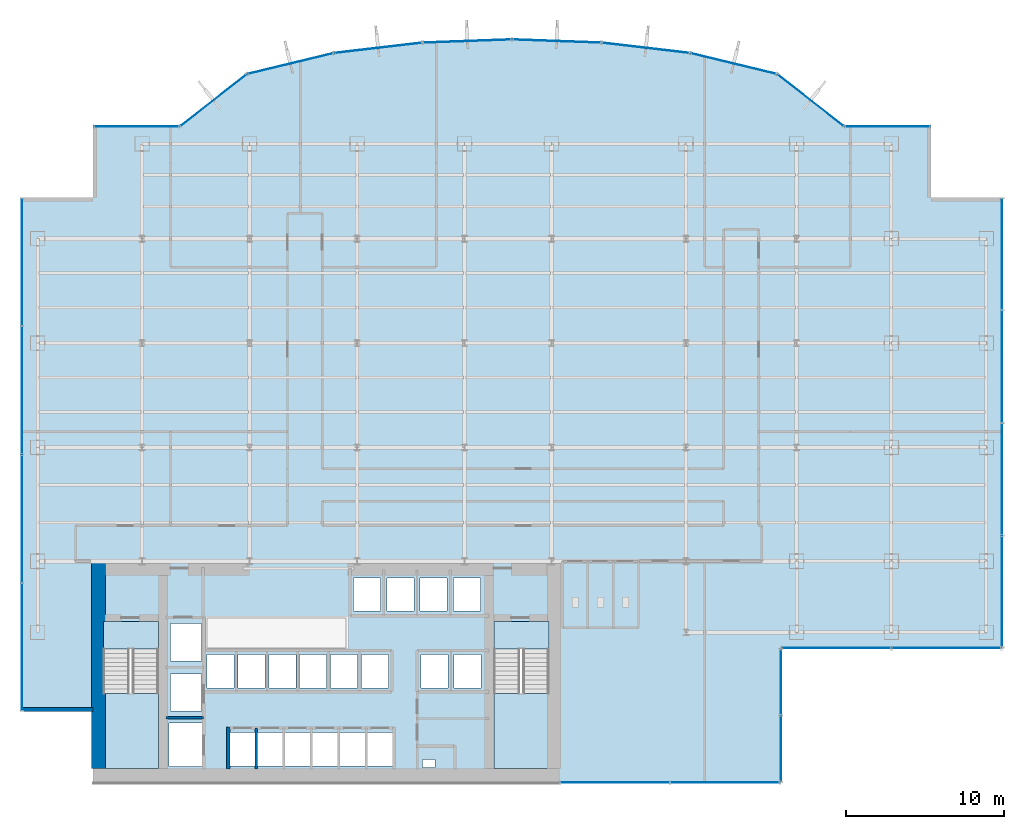
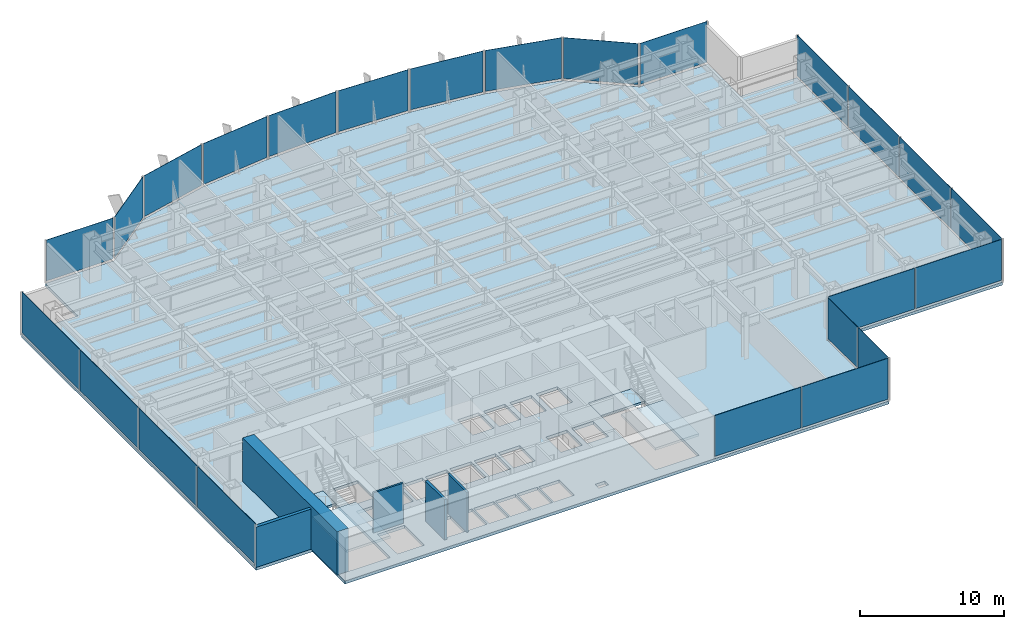
# One storey, part 16 of 22: 24 plates, 5 slabs, 5 walls, 17 elements without a shape of their own.
"""IFC4 building model written with IfcOpenShell, lengths in metres."""

from ifc_helpers import new_model, si_unit, derived_unit, direction, frame, frame_2d, origin, origin_2d, place, context, subcontext, project, spatial, polyline, rectangle, outline, extrude, source, transform, mapped, material, layer, layer_set, type_object, element, aggregate, save


model = new_model("IFC4")

# Units and contexts
model_context = context("Model", 3, precision=1e-05, world=origin(), true_north=direction((0.0, 1.0)))
body_context = subcontext(model_context, "Body", "Model", "MODEL_VIEW")
ifc_project = project(units=[si_unit("LENGTHUNIT", "METRE"), si_unit("AREAUNIT", "SQUARE_METRE"), si_unit("VOLUMEUNIT", "CUBIC_METRE"), si_unit("PLANEANGLEUNIT", "RADIAN"), si_unit("MASSUNIT", "GRAM", prefix="KILO"), derived_unit("THERMALTRANSMITTANCEUNIT", [(si_unit("POWERUNIT", "WATT"), 1), (si_unit("LENGTHUNIT", "METRE"), -2), (si_unit("THERMODYNAMICTEMPERATUREUNIT", "KELVIN"), -1)])], contexts=[model_context])

# Site, building, storey
site_placement = place(None, origin())
site = spatial("IfcSite", under=ifc_project, at=site_placement, CompositionType="ELEMENT")
building_placement = place(site_placement, origin())
building = spatial("IfcBuilding", under=site, at=building_placement, Name="Skarnbrae Concourse Arena and Tower", CompositionType="ELEMENT")
storey_placement = place(building_placement, frame((0.0, 0.0, 39.800048828125)))
storey = spatial("IfcBuildingStorey", under=building, at=storey_placement, Name="L08", CompositionType="ELEMENT", Elevation=39.800048828125)

# Stair, slab
ifc_material_1 = material(Name="Concrete 40 MPa (C40/50)", Category="concrete")
stair_type = type_object("IfcStairType", Name="STAIR-DOGLEG-1650", PredefinedType="HALF_TURN_STAIR", material=ifc_material_1)
stair_1_placement = place(storey_placement, origin())
stair_1 = element("IfcStair", 1, at=stair_1_placement, inside=storey, type_object=stair_type, Name="L08 Protected Exit Stair ST-1", PredefinedType="HALF_TURN_STAIR")
ifc_layer_1 = layer(ifc_material_1, 0.199951171875)
ifc_layer_set_1 = layer_set([ifc_layer_1], Name="Concrete 40 MPa (C40/50)")
slab_type_1 = type_object("IfcSlabType", Name="SLAB-LANDING-200", PredefinedType="LANDING", material=ifc_layer_set_1)
slab_1_placement = place(storey_placement, frame((0.0, 0.0, 1.625)))
slab_1 = element("IfcSlab", 2, at=slab_1_placement, type_object=slab_type_1, Name="ST-1 landing 1", PredefinedType="LANDING", context=body_context, shape_type="SweptSolid", body=[
    extrude(outline(polyline([(5.14990234375, 5.64990234375), (5.14990234375, 0.89990234375), (8.64990234375, 0.89990234375), (8.64990234375, 5.64990234375), (5.14990234375, 5.64990234375)])), origin(), (0.0, 0.0, 1.0), 0.199951171875),
])
aggregate(stair_1, [slab_1])

stair_2_placement = place(storey_placement, origin())
stair_2 = element("IfcStair", 3, at=stair_2_placement, inside=storey, type_object=stair_type, Name="L08 Protected Exit Stair ST-2", PredefinedType="HALF_TURN_STAIR")
slab_2_placement = place(storey_placement, frame((0.0, 0.0, 1.625)))
slab_2 = element("IfcSlab", 4, at=slab_2_placement, type_object=slab_type_1, Name="ST-2 landing 1", PredefinedType="LANDING", context=body_context, shape_type="SweptSolid", body=[
    extrude(outline(polyline([(29.85009765625, 5.64990234375), (29.85009765625, 0.89990234375), (33.35009765625, 0.89990234375), (33.35009765625, 5.64990234375), (29.85009765625, 5.64990234375)])), origin(), (0.0, 0.0, 1.0), 0.199951171875),
])
aggregate(stair_2, [slab_2])

# Slabs
slab_3_placement = place(storey_placement, frame((0.0, 0.0, -0.199951171875)))
element("IfcSlab", 5, at=slab_3_placement, inside=storey, type_object=slab_type_1, Name="L08 Core stair ST1 floor landing", PredefinedType="LANDING", context=body_context, shape_type="SweptSolid", body=[
    extrude(outline(polyline([(5.14990234375, 10.199951171875), (5.14990234375, 8.449951171875), (8.64990234375, 8.449951171875), (8.64990234375, 10.199951171875), (5.14990234375, 10.199951171875)])), origin(), (0.0, 0.0, 1.0), 0.199951171875),
])
slab_4_placement = place(storey_placement, frame((0.0, 0.0, -0.199951171875)))
element("IfcSlab", 6, at=slab_4_placement, inside=storey, type_object=slab_type_1, Name="L08 Core stair ST2 floor landing", PredefinedType="LANDING", context=body_context, shape_type="SweptSolid", body=[
    extrude(outline(polyline([(29.85009765625, 10.199951171875), (29.85009765625, 8.449951171875), (33.35009765625, 8.449951171875), (33.35009765625, 10.199951171875), (29.85009765625, 10.199951171875)])), origin(), (0.0, 0.0, 1.0), 0.199951171875),
])
ifc_layer_2 = layer(ifc_material_1, 0.25)
ifc_layer_set_2 = layer_set([ifc_layer_2], Name="Concrete 40 MPa (C40/50)")
slab_type_2 = type_object("IfcSlabType", Name="SLAB-TOWER-250", PredefinedType="FLOOR", material=ifc_layer_set_2)
slab_5_placement = place(storey_placement, frame((0.0, 0.0, -0.25)))
element("IfcSlab", 7, at=slab_5_placement, inside=storey, type_object=slab_type_2, Name="L08 Structural floor slab", PredefinedType="FLOOR", context=body_context, shape_type="SweptSolid", body=[
    extrude(outline(polyline([(4.5, 0.0), (48.0, 0.0), (48.0, 8.5), (62.0, 8.5), (62.0, 37.0), (57.5, 37.0), (57.5, 41.5), (52.0, 41.5), (47.766357421875, 44.811767578125), (42.2724609375, 46.140380859375), (36.65380859375, 46.796875), (31.0, 47.0), (25.34619140625, 46.796875), (19.7275390625, 46.140380859375), (14.233642578125, 44.811767578125), (10.0, 41.5), (4.5, 41.5), (4.5, 37.0), (0.0, 37.0), (0.0, 4.5), (4.5, 4.5), (4.5, 0.0)]), holes=[polyline([(13.14501953125, 3.155029296875), (14.7548828125, 3.155029296875), (14.7548828125, 1.044921875), (13.14501953125, 1.044921875), (13.14501953125, 3.155029296875)]), polyline([(16.4951171875, 3.155029296875), (16.4951171875, 1.044921875), (14.885009765625, 1.044921875), (14.885009765625, 3.155029296875), (16.4951171875, 3.155029296875)]), polyline([(18.235107421875, 3.155029296875), (18.235107421875, 1.044921875), (16.625, 1.044921875), (16.625, 3.155029296875), (18.235107421875, 3.155029296875)]), polyline([(18.364990234375, 3.155029296875), (19.97509765625, 3.155029296875), (19.97509765625, 1.044921875), (18.364990234375, 1.044921875), (18.364990234375, 3.155029296875)]), polyline([(11.455078125, 3.780029296875), (11.455078125, 1.02001953125), (9.294921875, 1.02001953125), (9.294921875, 3.780029296875), (11.455078125, 3.780029296875)]), polyline([(8.64990234375, 0.89990234375), (5.14990234375, 0.89990234375), (5.14990234375, 10.199951171875), (8.64990234375, 10.199951171875), (8.64990234375, 0.89990234375)]), polyline([(9.39501953125, 6.8798828125), (11.35498046875, 6.8798828125), (11.35498046875, 4.52001953125), (9.39501953125, 4.52001953125), (9.39501953125, 6.8798828125)]), polyline([(13.429931640625, 8.10498046875), (13.429931640625, 5.9951171875), (11.719970703125, 5.9951171875), (11.719970703125, 8.10498046875), (13.429931640625, 8.10498046875)]), polyline([(15.3798828125, 8.10498046875), (15.3798828125, 5.9951171875), (13.669921875, 5.9951171875), (13.669921875, 8.10498046875), (15.3798828125, 8.10498046875)]), polyline([(15.6201171875, 8.10498046875), (17.330078125, 8.10498046875), (17.330078125, 5.9951171875), (15.6201171875, 5.9951171875), (15.6201171875, 8.10498046875)]), polyline([(19.280029296875, 8.10498046875), (19.280029296875, 5.9951171875), (17.570068359375, 5.9951171875), (17.570068359375, 8.10498046875), (19.280029296875, 8.10498046875)]), polyline([(11.35498046875, 10.054931640625), (11.35498046875, 7.695068359375), (9.39501953125, 7.695068359375), (9.39501953125, 10.054931640625), (11.35498046875, 10.054931640625)]), polyline([(25.35009765625, 1.449951171875), (26.1201171875, 1.449951171875), (26.1201171875, 0.949951171875), (25.35009765625, 0.949951171875), (25.35009765625, 1.449951171875)]), polyline([(21.715087890625, 3.155029296875), (21.715087890625, 1.044921875), (20.10498046875, 1.044921875), (20.10498046875, 3.155029296875), (21.715087890625, 3.155029296875)]), polyline([(23.455078125, 3.155029296875), (23.455078125, 1.044921875), (21.844970703125, 1.044921875), (21.844970703125, 3.155029296875), (23.455078125, 3.155029296875)]), polyline([(33.35009765625, 10.199951171875), (33.35009765625, 0.89990234375), (29.85009765625, 0.89990234375), (29.85009765625, 10.199951171875), (33.35009765625, 10.199951171875)]), polyline([(21.22998046875, 8.10498046875), (21.22998046875, 5.9951171875), (19.52001953125, 5.9951171875), (19.52001953125, 8.10498046875), (21.22998046875, 8.10498046875)]), polyline([(23.179931640625, 8.10498046875), (23.179931640625, 5.9951171875), (21.469970703125, 5.9951171875), (21.469970703125, 8.10498046875), (23.179931640625, 8.10498046875)]), polyline([(25.235107421875, 8.10498046875), (26.945068359375, 8.10498046875), (26.945068359375, 5.9951171875), (25.235107421875, 5.9951171875), (25.235107421875, 8.10498046875)]), polyline([(29.044921875, 8.10498046875), (29.044921875, 5.9951171875), (27.3349609375, 5.9951171875), (27.3349609375, 8.10498046875), (29.044921875, 8.10498046875)]), polyline([(22.695068359375, 12.955078125), (22.695068359375, 10.844970703125), (20.985107421875, 10.844970703125), (20.985107421875, 12.955078125), (22.695068359375, 12.955078125)]), polyline([(23.0849609375, 12.955078125), (24.794921875, 12.955078125), (24.794921875, 10.844970703125), (23.0849609375, 10.844970703125), (23.0849609375, 12.955078125)]), polyline([(26.89501953125, 12.955078125), (26.89501953125, 10.844970703125), (25.18505859375, 10.844970703125), (25.18505859375, 12.955078125), (26.89501953125, 12.955078125)]), polyline([(28.9951171875, 12.955078125), (28.9951171875, 10.844970703125), (27.284912109375, 10.844970703125), (27.284912109375, 12.955078125), (28.9951171875, 12.955078125)])]), origin(), (0.0, 0.0, 1.0), 0.25),
])

# Curtain wall, plates
ifc_material_2 = material(Name="Bronze anodised aluminium 6063-T6", Category="aluminium")
curtain_wall_type = type_object("IfcCurtainWallType", Name="CW-SYS-02-LOWZONE", PredefinedType="USERDEFINED", material=ifc_material_2)
curtain_wall_1_placement = place(storey_placement, origin())
curtain_wall_1 = element("IfcCurtainWall", 8, at=curtain_wall_1_placement, inside=storey, type_object=curtain_wall_type, Name="L08 Unitised curtain wall CW-L08-SE-SPINE", ObjectType="UNITISED CURTAIN WALL", PredefinedType="USERDEFINED")
ifc_material_3 = material(Name="Low-E triple insulating glass", Category="glass")
ifc_layer_3 = layer(ifc_material_3, 0.031982421875)
ifc_layer_set_3 = layer_set([ifc_layer_3], Name="Low-E triple insulating glass")
plate_type = type_object("IfcPlateType", Name="CWP-CW-02", PredefinedType="CURTAIN_PANEL", material=ifc_layer_set_3)
shared_shape_1 = source(origin(), body_context, "Body", "SweptSolid", [
    extrude(rectangle(XDim=6.8798828125, YDim=0.031982421875, at=origin_2d()), origin(), (0.0, 0.0, 1.0), 3.4599609375),
])
plate_1_placement = place(storey_placement, frame((37.52001953125, 0.0, 0.18994140625), z_axis=(0.0, 0.0, 1.0), x_axis=(1.0, 0.0, 0.0)))
plate_1 = element("IfcPlate", 9, at=plate_1_placement, type_object=plate_type, Name="CW-L08-SE-SPINE Low-E Glazing Panel 1", PredefinedType="CURTAIN_PANEL", context=body_context, shape_type="MappedRepresentation", body=[
    mapped(shared_shape_1, transform((0.0, 0.0, 0.0))),
])
plate_2_placement = place(storey_placement, frame((44.47998046875, 0.0, 0.18994140625), z_axis=(0.0, 0.0, 1.0), x_axis=(1.0, 0.0, 0.0)))
plate_2 = element("IfcPlate", 10, at=plate_2_placement, type_object=plate_type, Name="CW-L08-SE-SPINE Low-E Glazing Panel 2", PredefinedType="CURTAIN_PANEL", context=body_context, shape_type="MappedRepresentation", body=[
    mapped(shared_shape_1, transform((0.0, 0.0, 0.0))),
])
aggregate(curtain_wall_1, [plate_1, plate_2])

curtain_wall_2_placement = place(storey_placement, origin())
curtain_wall_2 = element("IfcCurtainWall", 11, at=curtain_wall_2_placement, inside=storey, type_object=curtain_wall_type, Name="L08 Unitised curtain wall CW-L08-E03", ObjectType="UNITISED CURTAIN WALL", PredefinedType="USERDEFINED")
plate_3_placement = place(storey_placement, frame((51.52001953125, 8.5, 0.18994140625), z_axis=(0.0, 0.0, 1.0), x_axis=(1.0, 0.0, 0.0)))
plate_3 = element("IfcPlate", 12, at=plate_3_placement, type_object=plate_type, Name="CW-L08-E03 Low-E Glazing Panel 1", PredefinedType="CURTAIN_PANEL", context=body_context, shape_type="MappedRepresentation", body=[
    mapped(shared_shape_1, transform((0.0, 0.0, 0.0))),
])
plate_4_placement = place(storey_placement, frame((58.47998046875, 8.5, 0.18994140625), z_axis=(0.0, 0.0, 1.0), x_axis=(1.0, 0.0, 0.0)))
plate_4 = element("IfcPlate", 13, at=plate_4_placement, type_object=plate_type, Name="CW-L08-E03 Low-E Glazing Panel 2", PredefinedType="CURTAIN_PANEL", context=body_context, shape_type="MappedRepresentation", body=[
    mapped(shared_shape_1, transform((0.0, 0.0, 0.0))),
])
aggregate(curtain_wall_2, [plate_3, plate_4])

curtain_wall_3_placement = place(storey_placement, origin())
curtain_wall_3 = element("IfcCurtainWall", 14, at=curtain_wall_3_placement, inside=storey, type_object=curtain_wall_type, Name="L08 Unitised curtain wall CW-L08-E02", ObjectType="UNITISED CURTAIN WALL", PredefinedType="USERDEFINED")
shared_shape_2 = source(origin(), body_context, "Body", "SweptSolid", [
    extrude(rectangle(XDim=4.1298828125, YDim=0.031982421875, at=origin_2d()), origin(), (0.0, 0.0, 1.0), 3.4599609375),
])
plate_5_placement = place(storey_placement, frame((48.0, 2.14501953125, 0.18994140625), z_axis=(0.0, 0.0, 1.0), x_axis=(0.0, 1.0, 0.0)))
plate_5 = element("IfcPlate", 15, at=plate_5_placement, type_object=plate_type, Name="CW-L08-E02 Low-E Glazing Panel 1", PredefinedType="CURTAIN_PANEL", context=body_context, shape_type="MappedRepresentation", body=[
    mapped(shared_shape_2, transform((0.0, 0.0, 0.0))),
])
plate_6_placement = place(storey_placement, frame((48.0, 6.35498046875, 0.18994140625), z_axis=(0.0, 0.0, 1.0), x_axis=(0.0, 1.0, 0.0)))
plate_6 = element("IfcPlate", 16, at=plate_6_placement, type_object=plate_type, Name="CW-L08-E02 Low-E Glazing Panel 2", PredefinedType="CURTAIN_PANEL", context=body_context, shape_type="MappedRepresentation", body=[
    mapped(shared_shape_2, transform((0.0, 0.0, 0.0))),
])
aggregate(curtain_wall_3, [plate_5, plate_6])

curtain_wall_4_placement = place(storey_placement, origin())
curtain_wall_4 = element("IfcCurtainWall", 17, at=curtain_wall_4_placement, inside=storey, type_object=curtain_wall_type, Name="L08 Unitised curtain wall CW-L08-E04", ObjectType="UNITISED CURTAIN WALL", PredefinedType="USERDEFINED")
shared_shape_3 = source(origin(), body_context, "Body", "SweptSolid", [
    extrude(rectangle(XDim=7.0048828125, YDim=0.031982421875, at=origin_2d()), origin(), (0.0, 0.0, 1.0), 3.4599609375),
])
plate_7_placement = place(storey_placement, frame((62.0, 12.08251953125, 0.18994140625), z_axis=(0.0, 0.0, 1.0), x_axis=(0.0, 1.0, 0.0)))
plate_7 = element("IfcPlate", 18, at=plate_7_placement, type_object=plate_type, Name="CW-L08-E04 Low-E Glazing Panel 1", PredefinedType="CURTAIN_PANEL", context=body_context, shape_type="MappedRepresentation", body=[
    mapped(shared_shape_3, transform((0.0, 0.0, 0.0))),
])
plate_8_placement = place(storey_placement, frame((62.0, 33.41748046875, 0.18994140625), z_axis=(0.0, 0.0, 1.0), x_axis=(0.0, 1.0, 0.0)))
plate_8 = element("IfcPlate", 19, at=plate_8_placement, type_object=plate_type, Name="CW-L08-E04 Low-E Glazing Panel 4", PredefinedType="CURTAIN_PANEL", context=body_context, shape_type="MappedRepresentation", body=[
    mapped(shared_shape_3, transform((0.0, 0.0, 0.0))),
])
shared_shape_4 = source(origin(), body_context, "Body", "SweptSolid", [
    extrude(rectangle(XDim=7.044921875, YDim=0.031982421875, at=origin_2d()), origin(), (0.0, 0.0, 1.0), 3.4599609375),
])
plate_9_placement = place(storey_placement, frame((62.0, 19.1875, 0.18994140625), z_axis=(0.0, 0.0, 1.0), x_axis=(0.0, 1.0, 0.0)))
plate_9 = element("IfcPlate", 20, at=plate_9_placement, type_object=plate_type, Name="CW-L08-E04 Low-E Glazing Panel 2", PredefinedType="CURTAIN_PANEL", context=body_context, shape_type="MappedRepresentation", body=[
    mapped(shared_shape_4, transform((0.0, 0.0, 0.0))),
])
plate_10_placement = place(storey_placement, frame((62.0, 26.3125, 0.18994140625), z_axis=(0.0, 0.0, 1.0), x_axis=(0.0, 1.0, 0.0)))
plate_10 = element("IfcPlate", 21, at=plate_10_placement, type_object=plate_type, Name="CW-L08-E04 Low-E Glazing Panel 3", PredefinedType="CURTAIN_PANEL", context=body_context, shape_type="MappedRepresentation", body=[
    mapped(shared_shape_4, transform((0.0, 0.0, 0.0))),
])
aggregate(curtain_wall_4, [plate_7, plate_9, plate_10, plate_8])

# Curtain wall, plate
curtain_wall_5_placement = place(storey_placement, origin())
curtain_wall_5 = element("IfcCurtainWall", 22, at=curtain_wall_5_placement, inside=storey, type_object=curtain_wall_type, Name="L08 Unitised curtain wall CW-L08-E07", ObjectType="UNITISED CURTAIN WALL", PredefinedType="USERDEFINED")
shared_shape_5 = source(origin(), body_context, "Body", "SweptSolid", [
    extrude(rectangle(XDim=5.340087890625, YDim=0.031982421875, at=origin_2d()), origin(), (0.0, 0.0, 1.0), 3.4599609375),
])
plate_11_placement = place(storey_placement, frame((54.75, 41.5, 0.18994140625), z_axis=(0.0, 0.0, 1.0), x_axis=(-1.0, 0.0, 0.0)))
plate_11 = element("IfcPlate", 23, at=plate_11_placement, type_object=plate_type, Name="CW-L08-E07 Low-E Glazing Panel 1", PredefinedType="CURTAIN_PANEL", context=body_context, shape_type="MappedRepresentation", body=[
    mapped(shared_shape_5, transform((0.0, 0.0, 0.0))),
])
aggregate(curtain_wall_5, [plate_11])

curtain_wall_6_placement = place(storey_placement, origin())
curtain_wall_6 = element("IfcCurtainWall", 24, at=curtain_wall_6_placement, inside=storey, type_object=curtain_wall_type, Name="L08 Unitised curtain wall CW-L08-E16", ObjectType="UNITISED CURTAIN WALL", PredefinedType="USERDEFINED")
plate_12_placement = place(storey_placement, frame((7.25, 41.5, 0.18994140625), z_axis=(0.0, 0.0, 1.0), x_axis=(-1.0, 0.0, 0.0)))
plate_12 = element("IfcPlate", 25, at=plate_12_placement, type_object=plate_type, Name="CW-L08-E16 Low-E Glazing Panel 1", PredefinedType="CURTAIN_PANEL", context=body_context, shape_type="MappedRepresentation", body=[
    mapped(shared_shape_5, transform((0.0, 0.0, 0.0))),
])
aggregate(curtain_wall_6, [plate_12])

curtain_wall_7_placement = place(storey_placement, origin())
curtain_wall_7 = element("IfcCurtainWall", 26, at=curtain_wall_7_placement, inside=storey, type_object=curtain_wall_type, Name="L08 Unitised curtain wall CW-L08-E08", ObjectType="UNITISED CURTAIN WALL", PredefinedType="USERDEFINED")
shared_shape_6 = source(origin(), body_context, "Body", "SweptSolid", [
    extrude(rectangle(XDim=5.215087890625, YDim=0.031982421875, at=origin_2d()), origin(), (0.0, 0.0, 1.0), 3.4599609375),
])
plate_13_placement = place(storey_placement, frame((49.88330078125, 43.156005859375, 0.18994140625), z_axis=(0.0, 0.0, 1.0), x_axis=(-0.787651726054, 0.616120733658, 0.0)))
plate_13 = element("IfcPlate", 27, at=plate_13_placement, type_object=plate_type, Name="CW-L08-E08 Low-E Glazing Panel 1", PredefinedType="CURTAIN_PANEL", context=body_context, shape_type="MappedRepresentation", body=[
    mapped(shared_shape_6, transform((0.0, 0.0, 0.0))),
])
aggregate(curtain_wall_7, [plate_13])

curtain_wall_8_placement = place(storey_placement, origin())
curtain_wall_8 = element("IfcCurtainWall", 28, at=curtain_wall_8_placement, inside=storey, type_object=curtain_wall_type, Name="L08 Unitised curtain wall CW-L08-E15", ObjectType="UNITISED CURTAIN WALL", PredefinedType="USERDEFINED")
plate_14_placement = place(storey_placement, frame((12.11669921875, 43.156005859375, 0.18994140625), z_axis=(0.0, 0.0, 1.0), x_axis=(-0.787651726054, -0.616120733658, 0.0)))
plate_14 = element("IfcPlate", 29, at=plate_14_placement, type_object=plate_type, Name="CW-L08-E15 Low-E Glazing Panel 1", PredefinedType="CURTAIN_PANEL", context=body_context, shape_type="MappedRepresentation", body=[
    mapped(shared_shape_6, transform((0.0, 0.0, 0.0))),
])
aggregate(curtain_wall_8, [plate_14])

curtain_wall_9_placement = place(storey_placement, origin())
curtain_wall_9 = element("IfcCurtainWall", 30, at=curtain_wall_9_placement, inside=storey, type_object=curtain_wall_type, Name="L08 Unitised curtain wall CW-L08-E09", ObjectType="UNITISED CURTAIN WALL", PredefinedType="USERDEFINED")
shared_shape_7 = source(origin(), body_context, "Body", "SweptSolid", [
    extrude(rectangle(XDim=5.4921875, YDim=0.031982421875, at=origin_2d()), origin(), (0.0, 0.0, 1.0), 3.4599609375),
])
plate_15_placement = place(storey_placement, frame((45.019287109375, 45.47607421875, 0.18994140625), z_axis=(0.0, 0.0, 1.0), x_axis=(-0.971973721569, 0.235089524607, 0.0)))
plate_15 = element("IfcPlate", 31, at=plate_15_placement, type_object=plate_type, Name="CW-L08-E09 Low-E Glazing Panel 1", PredefinedType="CURTAIN_PANEL", context=body_context, shape_type="MappedRepresentation", body=[
    mapped(shared_shape_7, transform((0.0, 0.0, 0.0))),
])
aggregate(curtain_wall_9, [plate_15])

curtain_wall_10_placement = place(storey_placement, origin())
curtain_wall_10 = element("IfcCurtainWall", 32, at=curtain_wall_10_placement, inside=storey, type_object=curtain_wall_type, Name="L08 Unitised curtain wall CW-L08-E14", ObjectType="UNITISED CURTAIN WALL", PredefinedType="USERDEFINED")
plate_16_placement = place(storey_placement, frame((16.980712890625, 45.47607421875, 0.18994140625), z_axis=(0.0, 0.0, 1.0), x_axis=(-0.971973721569, -0.235089524607, 0.0)))
plate_16 = element("IfcPlate", 33, at=plate_16_placement, type_object=plate_type, Name="CW-L08-E14 Low-E Glazing Panel 1", PredefinedType="CURTAIN_PANEL", context=body_context, shape_type="MappedRepresentation", body=[
    mapped(shared_shape_7, transform((0.0, 0.0, 0.0))),
])
aggregate(curtain_wall_10, [plate_16])

curtain_wall_11_placement = place(storey_placement, origin())
curtain_wall_11 = element("IfcCurtainWall", 34, at=curtain_wall_11_placement, inside=storey, type_object=curtain_wall_type, Name="L08 Unitised curtain wall CW-L08-E10", ObjectType="UNITISED CURTAIN WALL", PredefinedType="USERDEFINED")
shared_shape_8 = source(origin(), body_context, "Body", "SweptSolid", [
    extrude(rectangle(XDim=5.49658203125, YDim=0.031982421875, at=origin_2d()), origin(), (0.0, 0.0, 1.0), 3.4599609375),
])
plate_17_placement = place(storey_placement, frame((39.463134765625, 46.46875, 0.18994140625), z_axis=(0.0, 0.0, 1.0), x_axis=(-0.99324457001, 0.116039752435, 0.0)))
plate_17 = element("IfcPlate", 35, at=plate_17_placement, type_object=plate_type, Name="CW-L08-E10 Low-E Glazing Panel 1", PredefinedType="CURTAIN_PANEL", context=body_context, shape_type="MappedRepresentation", body=[
    mapped(shared_shape_8, transform((0.0, 0.0, 0.0))),
])
aggregate(curtain_wall_11, [plate_17])

curtain_wall_12_placement = place(storey_placement, origin())
curtain_wall_12 = element("IfcCurtainWall", 36, at=curtain_wall_12_placement, inside=storey, type_object=curtain_wall_type, Name="L08 Unitised curtain wall CW-L08-E13", ObjectType="UNITISED CURTAIN WALL", PredefinedType="USERDEFINED")
plate_18_placement = place(storey_placement, frame((22.536865234375, 46.46875, 0.18994140625), z_axis=(0.0, 0.0, 1.0), x_axis=(-0.99324457001, -0.116039752435, 0.0)))
plate_18 = element("IfcPlate", 37, at=plate_18_placement, type_object=plate_type, Name="CW-L08-E13 Low-E Glazing Panel 1", PredefinedType="CURTAIN_PANEL", context=body_context, shape_type="MappedRepresentation", body=[
    mapped(shared_shape_8, transform((0.0, 0.0, 0.0))),
])
aggregate(curtain_wall_12, [plate_18])

curtain_wall_13_placement = place(storey_placement, origin())
curtain_wall_13 = element("IfcCurtainWall", 38, at=curtain_wall_13_placement, inside=storey, type_object=curtain_wall_type, Name="L08 Unitised curtain wall CW-L08-E11", ObjectType="UNITISED CURTAIN WALL", PredefinedType="USERDEFINED")
shared_shape_9 = source(origin(), body_context, "Body", "SweptSolid", [
    extrude(rectangle(XDim=5.49755859375, YDim=0.031982421875, at=origin_2d()), origin(), (0.0, 0.0, 1.0), 3.4599609375),
])
plate_19_placement = place(storey_placement, frame((33.826904296875, 46.8984375, 0.18994140625), z_axis=(0.0, 0.0, 1.0), x_axis=(-0.999355425188, 0.035898943527, 0.0)))
plate_19 = element("IfcPlate", 39, at=plate_19_placement, type_object=plate_type, Name="CW-L08-E11 Low-E Glazing Panel 1", PredefinedType="CURTAIN_PANEL", context=body_context, shape_type="MappedRepresentation", body=[
    mapped(shared_shape_9, transform((0.0, 0.0, 0.0))),
])
aggregate(curtain_wall_13, [plate_19])

curtain_wall_14_placement = place(storey_placement, origin())
curtain_wall_14 = element("IfcCurtainWall", 40, at=curtain_wall_14_placement, inside=storey, type_object=curtain_wall_type, Name="L08 Unitised curtain wall CW-L08-E12", ObjectType="UNITISED CURTAIN WALL", PredefinedType="USERDEFINED")
plate_20_placement = place(storey_placement, frame((28.173095703125, 46.8984375, 0.18994140625), z_axis=(0.0, 0.0, 1.0), x_axis=(-0.999355425188, -0.035898943527, 0.0)))
plate_20 = element("IfcPlate", 41, at=plate_20_placement, type_object=plate_type, Name="CW-L08-E12 Low-E Glazing Panel 1", PredefinedType="CURTAIN_PANEL", context=body_context, shape_type="MappedRepresentation", body=[
    mapped(shared_shape_9, transform((0.0, 0.0, 0.0))),
])
aggregate(curtain_wall_14, [plate_20])

# Curtain wall, plates
curtain_wall_15_placement = place(storey_placement, origin())
curtain_wall_15 = element("IfcCurtainWall", 42, at=curtain_wall_15_placement, inside=storey, type_object=curtain_wall_type, Name="L08 Unitised curtain wall CW-L08-E19", ObjectType="UNITISED CURTAIN WALL", PredefinedType="USERDEFINED")
shared_shape_10 = source(origin(), body_context, "Body", "SweptSolid", [
    extrude(rectangle(XDim=8.0048828125, YDim=0.031982421875, at=origin_2d()), origin(), (0.0, 0.0, 1.0), 3.4599609375),
])
plate_21_placement = place(storey_placement, frame((0.0, 32.91748046875, 0.18994140625), z_axis=(0.0, 0.0, 1.0), x_axis=(0.0, -1.0, 0.0)))
plate_21 = element("IfcPlate", 43, at=plate_21_placement, type_object=plate_type, Name="CW-L08-E19 Low-E Glazing Panel 1", PredefinedType="CURTAIN_PANEL", context=body_context, shape_type="MappedRepresentation", body=[
    mapped(shared_shape_10, transform((0.0, 0.0, 0.0))),
])
plate_22_placement = place(storey_placement, frame((0.0, 8.58251953125, 0.18994140625), z_axis=(0.0, 0.0, 1.0), x_axis=(0.0, -1.0, 0.0)))
plate_22 = element("IfcPlate", 44, at=plate_22_placement, type_object=plate_type, Name="CW-L08-E19 Low-E Glazing Panel 4", PredefinedType="CURTAIN_PANEL", context=body_context, shape_type="MappedRepresentation", body=[
    mapped(shared_shape_10, transform((0.0, 0.0, 0.0))),
])
shared_shape_11 = source(origin(), body_context, "Body", "SweptSolid", [
    extrude(rectangle(XDim=8.044921875, YDim=0.031982421875, at=origin_2d()), origin(), (0.0, 0.0, 1.0), 3.4599609375),
])
plate_23_placement = place(storey_placement, frame((0.0, 24.8125, 0.18994140625), z_axis=(0.0, 0.0, 1.0), x_axis=(0.0, -1.0, 0.0)))
plate_23 = element("IfcPlate", 45, at=plate_23_placement, type_object=plate_type, Name="CW-L08-E19 Low-E Glazing Panel 2", PredefinedType="CURTAIN_PANEL", context=body_context, shape_type="MappedRepresentation", body=[
    mapped(shared_shape_11, transform((0.0, 0.0, 0.0))),
])
plate_24_placement = place(storey_placement, frame((0.0, 16.6875, 0.18994140625), z_axis=(0.0, 0.0, 1.0), x_axis=(0.0, -1.0, 0.0)))
plate_24 = element("IfcPlate", 46, at=plate_24_placement, type_object=plate_type, Name="CW-L08-E19 Low-E Glazing Panel 3", PredefinedType="CURTAIN_PANEL", context=body_context, shape_type="MappedRepresentation", body=[
    mapped(shared_shape_11, transform((0.0, 0.0, 0.0))),
])
aggregate(curtain_wall_15, [plate_21, plate_23, plate_24, plate_22])

# Walls
ifc_material_4 = material(Name="Concrete 70 MPa (C70/85)", Category="concrete")
ifc_layer_4 = layer(ifc_material_4, 0.89990234375)
ifc_layer_set_4 = layer_set([ifc_layer_4], Name="Concrete 70 MPa (C70/85)")
wall_type_1 = type_object("IfcWallType", Name="WALL-CORE-900-C70", PredefinedType="SHEAR", material=ifc_layer_set_4)
shared_shape_12 = source(origin(), body_context, "Body", "SweptSolid", [
    extrude(rectangle(XDim=13.10009765625, YDim=0.89990234375, at=frame_2d((6.550048828125, 0.0))), origin(), (0.0, 0.0, 1.0), 3.64990234375),
])
wall_1_placement = place(storey_placement, frame((4.85009765625, 0.89990234375, 0.0), z_axis=(0.0, 0.0, 1.0), x_axis=(0.0, 1.0, 0.0)))
element("IfcWall", 47, at=wall_1_placement, inside=storey, type_object=wall_type_1, Name="L08 Rear core shear wall CW-W", PredefinedType="SHEAR", context=body_context, shape_type="MappedRepresentation", body=[
    mapped(shared_shape_12, transform((0.0, 0.0, 0.0))),
])
ifc_material_5 = material(Name="Precast concrete 40 MPa (C40/50)", Category="concrete")
ifc_layer_5 = layer(ifc_material_5, 0.25)
ifc_layer_set_5 = layer_set([ifc_layer_5], Name="Precast concrete 40 MPa (C40/50)")
wall_type_2 = type_object("IfcWallType", Name="WALL-EXT-SPANDREL-250", PredefinedType="STANDARD", material=ifc_layer_set_5)
shared_shape_13 = source(origin(), body_context, "Body", "SweptSolid", [
    extrude(rectangle(XDim=4.5, YDim=0.25, at=frame_2d((2.25, 0.0))), origin(), (0.0, 0.0, 1.0), 3.39990234375),
])
wall_2_placement = place(storey_placement, frame((0.0, 4.625, 0.0), z_axis=(0.0, 0.0, 1.0), x_axis=(1.0, 0.0, 0.0)))
element("IfcWall", 48, at=wall_2_placement, inside=storey, type_object=wall_type_2, Name="L08 Notched corner insulated return wall 20", PredefinedType="STANDARD", context=body_context, shape_type="MappedRepresentation", body=[
    mapped(shared_shape_13, transform((0.0, 0.0, 0.0))),
])
ifc_material_6 = material(Name="Gypsum board on cold-formed steel studs", Category="steel")
ifc_layer_6 = layer(ifc_material_6, 0.14990234375)
ifc_layer_set_6 = layer_set([ifc_layer_6], Name="Gypsum board on cold-formed steel studs")
wall_type_3 = type_object("IfcWallType", Name="WALL-PART-150", PredefinedType="PARTITIONING", material=ifc_layer_set_6)
shared_shape_14 = source(origin(), body_context, "Body", "SweptSolid", [
    extrude(rectangle(XDim=2.39990234375, YDim=0.14990234375, at=frame_2d((1.199951171875, 0.0))), origin(), (0.0, 0.0, 1.0), 3.39990234375),
])
wall_3_placement = place(storey_placement, frame((9.10009765625, 4.10009765625, 0.0), z_axis=(0.0, 0.0, 1.0), x_axis=(1.0, 0.0, 0.0)))
element("IfcWall", 49, at=wall_3_placement, inside=storey, type_object=wall_type_3, Name="L08 Interior partition wall W-L08-FL-D1", PredefinedType="PARTITIONING", context=body_context, shape_type="MappedRepresentation", body=[
    mapped(shared_shape_14, transform((0.0, 0.0, 0.0))),
])
ifc_layer_7 = layer(ifc_material_6, 0.199951171875)
ifc_layer_set_7 = layer_set([ifc_layer_7], Name="Gypsum board on cold-formed steel studs")
wall_type_4 = type_object("IfcWallType", Name="WALL-PART-200-2HR", PredefinedType="PARTITIONING", material=ifc_layer_set_7)
shared_shape_15 = source(origin(), body_context, "Body", "SweptSolid", [
    extrude(rectangle(XDim=2.64990234375, YDim=0.199951171875, at=frame_2d((1.324951171875, 0.0))), origin(), (0.0, 0.0, 1.0), 3.39990234375),
])
wall_4_placement = place(storey_placement, frame((13.050048828125, 0.85009765625, 0.0), z_axis=(0.0, 0.0, 1.0), x_axis=(0.0, 1.0, 0.0)))
element("IfcWall", 50, at=wall_4_placement, inside=storey, type_object=wall_type_4, Name="L08 Interior partition wall W-L08-B1-W", PredefinedType="PARTITIONING", context=body_context, shape_type="MappedRepresentation", body=[
    mapped(shared_shape_15, transform((0.0, 0.0, 0.0))),
])
shared_shape_16 = source(origin(), body_context, "Body", "SweptSolid", [
    extrude(rectangle(XDim=2.599853515625, YDim=0.14990234375, at=frame_2d((1.2998046875, 0.0))), origin(), (0.0, 0.0, 1.0), 3.39990234375),
])
wall_5_placement = place(storey_placement, frame((14.820068359375, 0.85009765625, 0.0), z_axis=(0.0, 0.0, 1.0), x_axis=(0.0, 1.0, 0.0)))
element("IfcWall", 51, at=wall_5_placement, inside=storey, type_object=wall_type_3, Name="L08 Interior partition wall W-L08-B1-P1", PredefinedType="PARTITIONING", context=body_context, shape_type="MappedRepresentation", body=[
    mapped(shared_shape_16, transform((0.0, 0.0, 0.0))),
])

save(model, "model.ifc")
